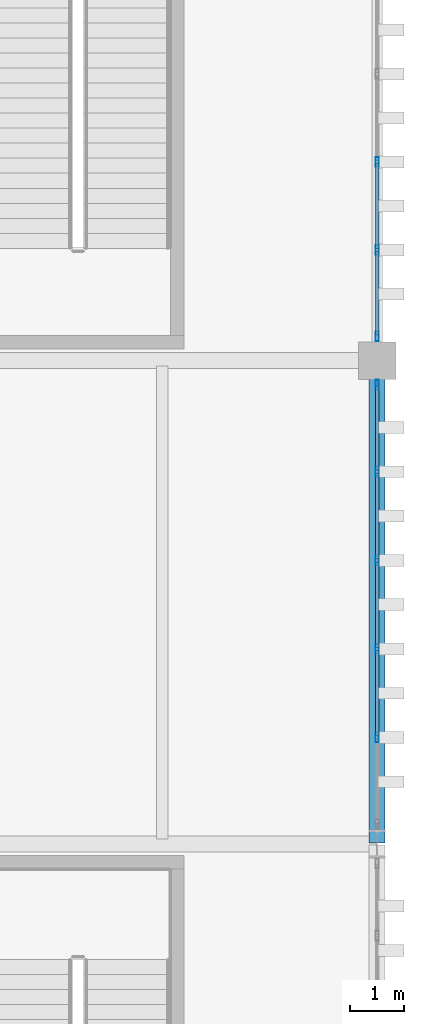
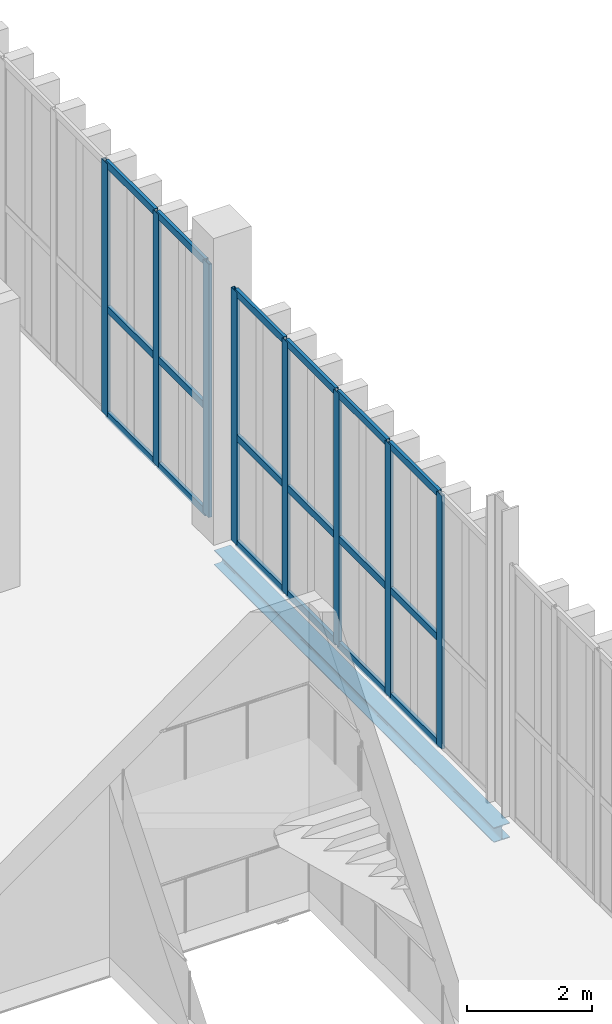
# One storey, part 127 of 211: 26 members, 1 beam, 2 elements without a shape of their own.
"""IFC4 building model written with IfcOpenShell, lengths in metres."""

from ifc_helpers import new_model, si_unit, direction, frame, origin, origin_2d, place, context, subcontext, project, spatial, hollow_rectangle, i_section, extrude, material, layer, layer_set, material_profile, profile_set, type_object, element, aggregate, save


model = new_model("IFC4")

# Units and contexts
model_context = context("Model", 3, precision=1e-05, world=origin(), true_north=direction((0.0, 1.0)))
body_context = subcontext(model_context, "Body", "Model", "MODEL_VIEW")
ifc_project = project(units=[si_unit("LENGTHUNIT", "METRE"), si_unit("AREAUNIT", "SQUARE_METRE"), si_unit("VOLUMEUNIT", "CUBIC_METRE"), si_unit("PLANEANGLEUNIT", "RADIAN"), si_unit("MASSUNIT", "GRAM", prefix="KILO")], contexts=[model_context])

# Site, building, storey
site_placement = place(None, origin())
site = spatial("IfcSite", under=ifc_project, at=site_placement, CompositionType="ELEMENT")
building_placement = place(site_placement, origin())
building = spatial("IfcBuilding", under=site, at=building_placement, Name="Barlavento Convention Centre", CompositionType="ELEMENT")
storey_placement = place(building_placement, frame((0.0, 0.0, 6.0)))
storey = spatial("IfcBuildingStorey", under=building, at=storey_placement, Name="L01", CompositionType="ELEMENT", Elevation=6.0)

# Curtain wall, members
ifc_material_1 = material(Name="Powder-coated aluminium and Low-E glass", Category="aluminium")
ifc_layer = layer(ifc_material_1, 0.195068359375)
ifc_layer_set = layer_set([ifc_layer], Name="ARC-CW-FOY-L01")
curtain_wall_type = type_object("IfcCurtainWallType", Name="ARC-CW-FOY-L01", PredefinedType="NOTDEFINED", material=ifc_layer_set)
curtain_wall_1_placement = place(storey_placement, origin())
curtain_wall_1 = element("IfcCurtainWall", 1, at=curtain_wall_1_placement, inside=storey, type_object=curtain_wall_type, Name="L01 unitised curtain wall CW03", PredefinedType="NOTDEFINED")
ifc_material_2 = material(Name="Powder-coated aluminium", Category="aluminium")
ifc_material_profile_1 = material_profile(ifc_material_2, hollow_rectangle(XDim=0.06005859375, YDim=0.179931640625, WallThickness=0.0048828125, at=origin_2d()), Name="AL-MULL 60x180x5")
ifc_profile_set_1 = profile_set([ifc_material_profile_1], Name="Powder-coated aluminium")
member_type_1 = type_object("IfcMemberType", Name="ARC-CWM-60X180", PredefinedType="MULLION", material=ifc_profile_set_1)
member_1_placement = place(storey_placement, frame((192.0, 64.981689453125, 0.0), z_axis=(0.0, 0.0, 1.0), x_axis=(-1.0, 0.0, 0.0)))
member_1 = element("IfcMember", 2, at=member_1_placement, type_object=member_type_1, Name="CW03 mullion 2", PredefinedType="MULLION", context=body_context, shape_type="SweptSolid", body=[
    extrude(hollow_rectangle(XDim=0.06005859375, YDim=0.179931640625, WallThickness=0.0048828125, at=origin_2d()), origin(), (0.0, 0.0, 1.0), 4.949951171875),
])
member_2_placement = place(storey_placement, frame((192.0, 66.631103515625, 0.0), z_axis=(0.0, 0.0, 1.0), x_axis=(-1.0, 0.0, 0.0)))
member_2 = element("IfcMember", 3, at=member_2_placement, type_object=member_type_1, Name="CW03 mullion 3", PredefinedType="MULLION", context=body_context, shape_type="SweptSolid", body=[
    extrude(hollow_rectangle(XDim=0.06005859375, YDim=0.179931640625, WallThickness=0.0048828125, at=origin_2d()), origin(), (0.0, 0.0, 1.0), 4.949951171875),
])
member_3_placement = place(storey_placement, frame((192.0, 68.28076171875, 0.0), z_axis=(0.0, 0.0, 1.0), x_axis=(-1.0, 0.0, 0.0)))
member_3 = element("IfcMember", 4, at=member_3_placement, type_object=member_type_1, Name="CW03 mullion 4", PredefinedType="MULLION", context=body_context, shape_type="SweptSolid", body=[
    extrude(hollow_rectangle(XDim=0.06005859375, YDim=0.179931640625, WallThickness=0.0048828125, at=origin_2d()), origin(), (0.0, 0.0, 1.0), 4.949951171875),
])
member_4_placement = place(storey_placement, frame((192.0, 69.930419921875, 0.0), z_axis=(0.0, 0.0, 1.0), x_axis=(-1.0, 0.0, 0.0)))
member_4 = element("IfcMember", 5, at=member_4_placement, type_object=member_type_1, Name="CW03 mullion 5", PredefinedType="MULLION", context=body_context, shape_type="SweptSolid", body=[
    extrude(hollow_rectangle(XDim=0.06005859375, YDim=0.179931640625, WallThickness=0.0048828125, at=origin_2d()), origin(), (0.0, 0.0, 1.0), 4.949951171875),
])
member_5_placement = place(storey_placement, frame((192.0, 71.550048828125, 0.0), z_axis=(0.0, 0.0, 1.0), x_axis=(-1.0, 0.0, 0.0)))
member_5 = element("IfcMember", 6, at=member_5_placement, type_object=member_type_1, Name="CW03 mullion 6", PredefinedType="MULLION", context=body_context, shape_type="SweptSolid", body=[
    extrude(hollow_rectangle(XDim=0.06005859375, YDim=0.179931640625, WallThickness=0.0048828125, at=origin_2d()), origin(), (0.0, 0.0, 1.0), 4.949951171875),
])

curtain_wall_2_placement = place(storey_placement, origin())
curtain_wall_2 = element("IfcCurtainWall", 7, at=curtain_wall_2_placement, inside=storey, type_object=curtain_wall_type, Name="L01 unitised curtain wall CW03", PredefinedType="NOTDEFINED")
member_6_placement = place(storey_placement, frame((192.0, 72.449951171875, 0.0), z_axis=(0.0, 0.0, 1.0), x_axis=(-1.0, 0.0, 0.0)))
member_6 = element("IfcMember", 8, at=member_6_placement, type_object=member_type_1, Name="CW03 mullion 1", PredefinedType="MULLION", context=body_context, shape_type="SweptSolid", body=[
    extrude(hollow_rectangle(XDim=0.06005859375, YDim=0.179931640625, WallThickness=0.0048828125, at=origin_2d()), origin(), (0.0, 0.0, 1.0), 4.949951171875),
])
member_7_placement = place(storey_placement, frame((192.0, 74.06005859375, 0.0), z_axis=(0.0, 0.0, 1.0), x_axis=(-1.0, 0.0, 0.0)))
member_7 = element("IfcMember", 9, at=member_7_placement, type_object=member_type_1, Name="CW03 mullion 2", PredefinedType="MULLION", context=body_context, shape_type="SweptSolid", body=[
    extrude(hollow_rectangle(XDim=0.06005859375, YDim=0.179931640625, WallThickness=0.0048828125, at=origin_2d()), origin(), (0.0, 0.0, 1.0), 4.949951171875),
])
member_8_placement = place(storey_placement, frame((192.0, 75.699951171875, 0.0), z_axis=(0.0, 0.0, 1.0), x_axis=(-1.0, 0.0, 0.0)))
member_8 = element("IfcMember", 10, at=member_8_placement, type_object=member_type_1, Name="CW03 mullion 3", PredefinedType="MULLION", context=body_context, shape_type="SweptSolid", body=[
    extrude(hollow_rectangle(XDim=0.06005859375, YDim=0.179931640625, WallThickness=0.0048828125, at=origin_2d()), origin(), (0.0, 0.0, 1.0), 4.949951171875),
])

# Member
ifc_material_profile_2 = material_profile(ifc_material_2, hollow_rectangle(XDim=0.06005859375, YDim=0.139892578125, WallThickness=0.00390625, at=origin_2d()), Name="AL-TRAN 60x140x4")
ifc_profile_set_2 = profile_set([ifc_material_profile_2], Name="Powder-coated aluminium")
member_type_2 = type_object("IfcMemberType", Name="ARC-CWT-60X140", PredefinedType="USERDEFINED", material=ifc_profile_set_2)
member_9_placement = place(storey_placement, frame((192.0, 65.01171875, 0.030029296875), z_axis=(0.0, 1.0, 0.0), x_axis=(-1.0, 0.0, 0.0)))
member_9 = element("IfcMember", 11, at=member_9_placement, type_object=member_type_2, Name="CW03 transom 2.1", ObjectType="TRANSOM", PredefinedType="USERDEFINED", context=body_context, shape_type="SweptSolid", body=[
    extrude(hollow_rectangle(XDim=0.06005859375, YDim=0.139892578125, WallThickness=0.00390625, at=origin_2d()), origin(), (0.0, 0.0, 1.0), 1.589599609375),
])

member_10_placement = place(storey_placement, frame((192.0, 65.01171875, 2.10009765625), z_axis=(0.0, 1.0, 0.0), x_axis=(-1.0, 0.0, 0.0)))
member_10 = element("IfcMember", 12, at=member_10_placement, type_object=member_type_2, Name="CW03 transom 2.2", ObjectType="TRANSOM", PredefinedType="USERDEFINED", context=body_context, shape_type="SweptSolid", body=[
    extrude(hollow_rectangle(XDim=0.06005859375, YDim=0.139892578125, WallThickness=0.00390625, at=origin_2d()), origin(), (0.0, 0.0, 1.0), 1.589599609375),
])

member_11_placement = place(storey_placement, frame((192.0, 65.01171875, 4.919921875), z_axis=(0.0, 1.0, 0.0), x_axis=(-1.0, 0.0, 0.0)))
member_11 = element("IfcMember", 13, at=member_11_placement, type_object=member_type_2, Name="CW03 transom 2.3", ObjectType="TRANSOM", PredefinedType="USERDEFINED", context=body_context, shape_type="SweptSolid", body=[
    extrude(hollow_rectangle(XDim=0.06005859375, YDim=0.139892578125, WallThickness=0.00390625, at=origin_2d()), origin(), (0.0, 0.0, 1.0), 1.589599609375),
])

member_12_placement = place(storey_placement, frame((192.0, 66.6611328125, 0.030029296875), z_axis=(0.0, 1.0, 0.0), x_axis=(-1.0, 0.0, 0.0)))
member_12 = element("IfcMember", 14, at=member_12_placement, type_object=member_type_2, Name="CW03 transom 3.1", ObjectType="TRANSOM", PredefinedType="USERDEFINED", context=body_context, shape_type="SweptSolid", body=[
    extrude(hollow_rectangle(XDim=0.06005859375, YDim=0.139892578125, WallThickness=0.00390625, at=origin_2d()), origin(), (0.0, 0.0, 1.0), 1.589599609375),
])

member_13_placement = place(storey_placement, frame((192.0, 66.6611328125, 2.10009765625), z_axis=(0.0, 1.0, 0.0), x_axis=(-1.0, 0.0, 0.0)))
member_13 = element("IfcMember", 15, at=member_13_placement, type_object=member_type_2, Name="CW03 transom 3.2", ObjectType="TRANSOM", PredefinedType="USERDEFINED", context=body_context, shape_type="SweptSolid", body=[
    extrude(hollow_rectangle(XDim=0.06005859375, YDim=0.139892578125, WallThickness=0.00390625, at=origin_2d()), origin(), (0.0, 0.0, 1.0), 1.589599609375),
])

member_14_placement = place(storey_placement, frame((192.0, 66.6611328125, 4.919921875), z_axis=(0.0, 1.0, 0.0), x_axis=(-1.0, 0.0, 0.0)))
member_14 = element("IfcMember", 16, at=member_14_placement, type_object=member_type_2, Name="CW03 transom 3.3", ObjectType="TRANSOM", PredefinedType="USERDEFINED", context=body_context, shape_type="SweptSolid", body=[
    extrude(hollow_rectangle(XDim=0.06005859375, YDim=0.139892578125, WallThickness=0.00390625, at=origin_2d()), origin(), (0.0, 0.0, 1.0), 1.589599609375),
])

member_15_placement = place(storey_placement, frame((192.0, 68.310791015625, 0.030029296875), z_axis=(0.0, 1.0, 0.0), x_axis=(-1.0, 0.0, 0.0)))
member_15 = element("IfcMember", 17, at=member_15_placement, type_object=member_type_2, Name="CW03 transom 4.1", ObjectType="TRANSOM", PredefinedType="USERDEFINED", context=body_context, shape_type="SweptSolid", body=[
    extrude(hollow_rectangle(XDim=0.06005859375, YDim=0.139892578125, WallThickness=0.00390625, at=origin_2d()), origin(), (0.0, 0.0, 1.0), 1.589599609375),
])

member_16_placement = place(storey_placement, frame((192.0, 68.310791015625, 2.10009765625), z_axis=(0.0, 1.0, 0.0), x_axis=(-1.0, 0.0, 0.0)))
member_16 = element("IfcMember", 18, at=member_16_placement, type_object=member_type_2, Name="CW03 transom 4.2", ObjectType="TRANSOM", PredefinedType="USERDEFINED", context=body_context, shape_type="SweptSolid", body=[
    extrude(hollow_rectangle(XDim=0.06005859375, YDim=0.139892578125, WallThickness=0.00390625, at=origin_2d()), origin(), (0.0, 0.0, 1.0), 1.589599609375),
])

member_17_placement = place(storey_placement, frame((192.0, 68.310791015625, 4.919921875), z_axis=(0.0, 1.0, 0.0), x_axis=(-1.0, 0.0, 0.0)))
member_17 = element("IfcMember", 19, at=member_17_placement, type_object=member_type_2, Name="CW03 transom 4.3", ObjectType="TRANSOM", PredefinedType="USERDEFINED", context=body_context, shape_type="SweptSolid", body=[
    extrude(hollow_rectangle(XDim=0.06005859375, YDim=0.139892578125, WallThickness=0.00390625, at=origin_2d()), origin(), (0.0, 0.0, 1.0), 1.589599609375),
])

member_18_placement = place(storey_placement, frame((192.0, 69.96044921875, 0.030029296875), z_axis=(0.0, 1.0, 0.0), x_axis=(-1.0, 0.0, 0.0)))
member_18 = element("IfcMember", 20, at=member_18_placement, type_object=member_type_2, Name="CW03 transom 5.1", ObjectType="TRANSOM", PredefinedType="USERDEFINED", context=body_context, shape_type="SweptSolid", body=[
    extrude(hollow_rectangle(XDim=0.06005859375, YDim=0.139892578125, WallThickness=0.00390625, at=origin_2d()), origin(), (0.0, 0.0, 1.0), 1.5595703125),
])

member_19_placement = place(storey_placement, frame((192.0, 69.96044921875, 2.10009765625), z_axis=(0.0, 1.0, 0.0), x_axis=(-1.0, 0.0, 0.0)))
member_19 = element("IfcMember", 21, at=member_19_placement, type_object=member_type_2, Name="CW03 transom 5.2", ObjectType="TRANSOM", PredefinedType="USERDEFINED", context=body_context, shape_type="SweptSolid", body=[
    extrude(hollow_rectangle(XDim=0.06005859375, YDim=0.139892578125, WallThickness=0.00390625, at=origin_2d()), origin(), (0.0, 0.0, 1.0), 1.5595703125),
])

member_20_placement = place(storey_placement, frame((192.0, 69.96044921875, 4.919921875), z_axis=(0.0, 1.0, 0.0), x_axis=(-1.0, 0.0, 0.0)))
member_20 = element("IfcMember", 22, at=member_20_placement, type_object=member_type_2, Name="CW03 transom 5.3", ObjectType="TRANSOM", PredefinedType="USERDEFINED", context=body_context, shape_type="SweptSolid", body=[
    extrude(hollow_rectangle(XDim=0.06005859375, YDim=0.139892578125, WallThickness=0.00390625, at=origin_2d()), origin(), (0.0, 0.0, 1.0), 1.5595703125),
])

aggregate(curtain_wall_1, [member_1, member_2, member_3, member_4, member_5, member_9, member_10, member_11, member_12, member_13, member_14, member_15, member_16, member_17, member_18, member_19, member_20])

member_21_placement = place(storey_placement, frame((192.0, 72.47998046875, 0.030029296875), z_axis=(0.0, 1.0, 0.0), x_axis=(-1.0, 0.0, 0.0)))
member_21 = element("IfcMember", 23, at=member_21_placement, type_object=member_type_2, Name="CW03 transom 1.1", ObjectType="TRANSOM", PredefinedType="USERDEFINED", context=body_context, shape_type="SweptSolid", body=[
    extrude(hollow_rectangle(XDim=0.06005859375, YDim=0.139892578125, WallThickness=0.00390625, at=origin_2d()), origin(), (0.0, 0.0, 1.0), 1.550048828125),
])

member_22_placement = place(storey_placement, frame((192.0, 72.47998046875, 2.10009765625), z_axis=(0.0, 1.0, 0.0), x_axis=(-1.0, 0.0, 0.0)))
member_22 = element("IfcMember", 24, at=member_22_placement, type_object=member_type_2, Name="CW03 transom 1.2", ObjectType="TRANSOM", PredefinedType="USERDEFINED", context=body_context, shape_type="SweptSolid", body=[
    extrude(hollow_rectangle(XDim=0.06005859375, YDim=0.139892578125, WallThickness=0.00390625, at=origin_2d()), origin(), (0.0, 0.0, 1.0), 1.550048828125),
])

member_23_placement = place(storey_placement, frame((192.0, 72.47998046875, 4.919921875), z_axis=(0.0, 1.0, 0.0), x_axis=(-1.0, 0.0, 0.0)))
member_23 = element("IfcMember", 25, at=member_23_placement, type_object=member_type_2, Name="CW03 transom 1.3", ObjectType="TRANSOM", PredefinedType="USERDEFINED", context=body_context, shape_type="SweptSolid", body=[
    extrude(hollow_rectangle(XDim=0.06005859375, YDim=0.139892578125, WallThickness=0.00390625, at=origin_2d()), origin(), (0.0, 0.0, 1.0), 1.550048828125),
])

member_24_placement = place(storey_placement, frame((192.0, 74.090087890625, 0.030029296875), z_axis=(0.0, 1.0, 0.0), x_axis=(-1.0, 0.0, 0.0)))
member_24 = element("IfcMember", 26, at=member_24_placement, type_object=member_type_2, Name="CW03 transom 2.1", ObjectType="TRANSOM", PredefinedType="USERDEFINED", context=body_context, shape_type="SweptSolid", body=[
    extrude(hollow_rectangle(XDim=0.06005859375, YDim=0.139892578125, WallThickness=0.00390625, at=origin_2d()), origin(), (0.0, 0.0, 1.0), 1.579833984375),
])

member_25_placement = place(storey_placement, frame((192.0, 74.090087890625, 2.10009765625), z_axis=(0.0, 1.0, 0.0), x_axis=(-1.0, 0.0, 0.0)))
member_25 = element("IfcMember", 27, at=member_25_placement, type_object=member_type_2, Name="CW03 transom 2.2", ObjectType="TRANSOM", PredefinedType="USERDEFINED", context=body_context, shape_type="SweptSolid", body=[
    extrude(hollow_rectangle(XDim=0.06005859375, YDim=0.139892578125, WallThickness=0.00390625, at=origin_2d()), origin(), (0.0, 0.0, 1.0), 1.579833984375),
])

member_26_placement = place(storey_placement, frame((192.0, 74.090087890625, 4.919921875), z_axis=(0.0, 1.0, 0.0), x_axis=(-1.0, 0.0, 0.0)))
member_26 = element("IfcMember", 28, at=member_26_placement, type_object=member_type_2, Name="CW03 transom 2.3", ObjectType="TRANSOM", PredefinedType="USERDEFINED", context=body_context, shape_type="SweptSolid", body=[
    extrude(hollow_rectangle(XDim=0.06005859375, YDim=0.139892578125, WallThickness=0.00390625, at=origin_2d()), origin(), (0.0, 0.0, 1.0), 1.579833984375),
])

aggregate(curtain_wall_2, [member_6, member_7, member_8, member_21, member_22, member_23, member_24, member_25, member_26])

# Beam
ifc_material_3 = material(Name="Steel S355", Category="steel")
ifc_material_profile_3 = material_profile(ifc_material_3, i_section(OverallWidth=0.300048828125, OverallDepth=0.2900390625, WebThickness=0.008544921875, FlangeThickness=0.013916015625, FilletRadius=0.027099609375, at=origin_2d()), Name="HEA 300")
ifc_profile_set_3 = profile_set([ifc_material_profile_3], Name="Steel S355")
beam_type = type_object("IfcBeamType", Name="STR-BM-SPN-HEA300", PredefinedType="SPANDREL", material=ifc_profile_set_3)
beam_placement = place(storey_placement, frame((192.0, 63.02001953125, -0.5048828125), z_axis=(0.0, 1.0, 0.0), x_axis=(-1.0, 0.0, 0.0)))
element("IfcBeam", 29, at=beam_placement, inside=storey, type_object=beam_type, Name="L01 grid girder SP02", PredefinedType="SPANDREL", context=body_context, shape_type="SweptSolid", body=[
    extrude(i_section(OverallWidth=0.300048828125, OverallDepth=0.2900390625, WebThickness=0.008544921875, FlangeThickness=0.013916015625, FilletRadius=0.027099609375, at=origin_2d()), origin(), (0.0, 0.0, 1.0), 8.9599609375),
])

save(model, "model.ifc")
